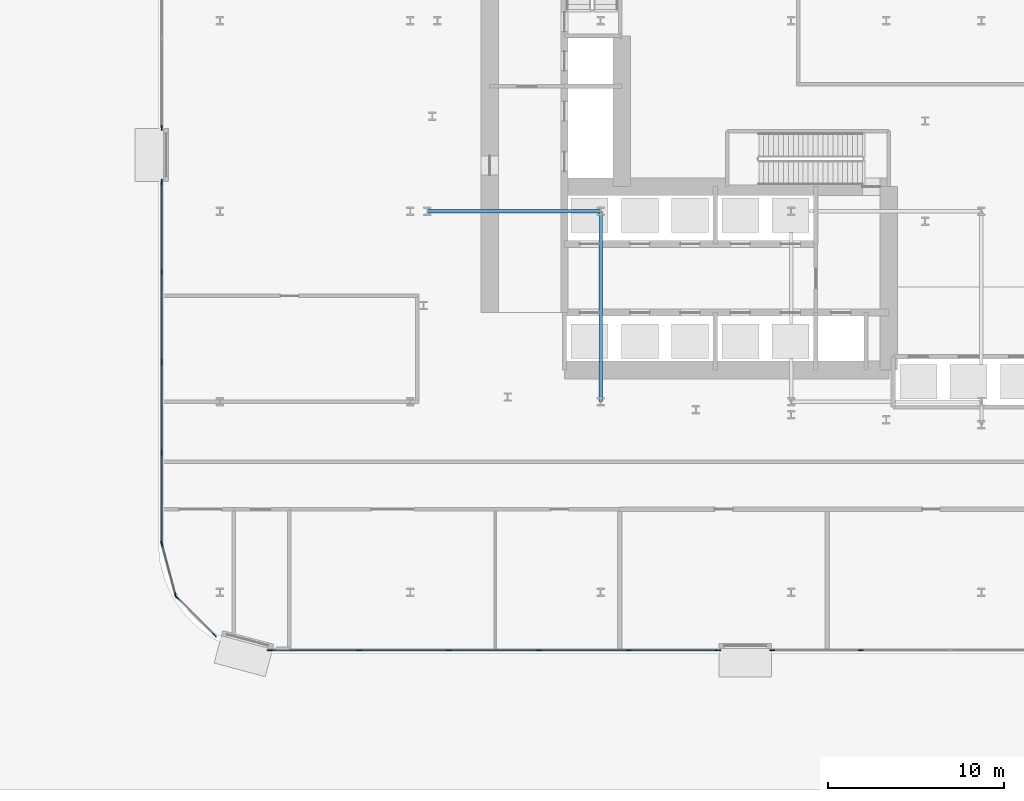
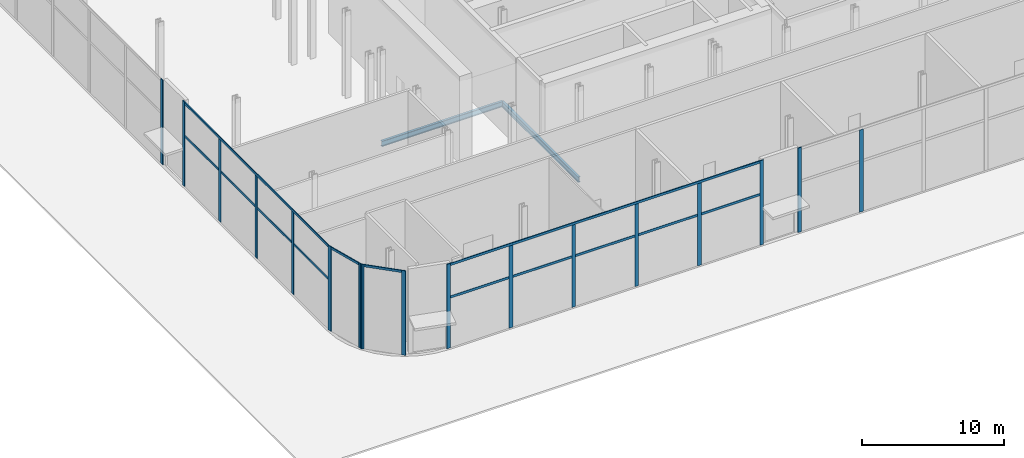
# One storey, part 5 of 46: 23 members, 2 beams, 6 elements without a shape of their own.
"""IFC4 building model written with IfcOpenShell, lengths in metres."""

from ifc_helpers import new_model, si_unit, direction, frame, origin, origin_2d, place, context, subcontext, project, spatial, rectangle, i_section, extrude, material, layer, layer_set, material_profile, profile_set, type_object, element, aggregate, save


model = new_model("IFC4")

# Units and contexts
model_context = context("Model", 3, precision=1e-05, world=origin(), true_north=direction((0.0, 1.0)))
body_context = subcontext(model_context, "Body", "Model", "MODEL_VIEW")
ifc_project = project(units=[si_unit("LENGTHUNIT", "METRE"), si_unit("AREAUNIT", "SQUARE_METRE"), si_unit("VOLUMEUNIT", "CUBIC_METRE"), si_unit("PLANEANGLEUNIT", "RADIAN"), si_unit("MASSUNIT", "GRAM", prefix="KILO")], contexts=[model_context])

# Site, building, storey
site_placement = place(None, origin())
site = spatial("IfcSite", under=ifc_project, at=site_placement, CompositionType="ELEMENT")
building_placement = place(site_placement, origin())
building = spatial("IfcBuilding", under=site, at=building_placement, Name="Kheshtan School and Residences Tower", CompositionType="ELEMENT")
storey_placement = place(building_placement, origin())
storey = spatial("IfcBuildingStorey", under=building, at=storey_placement, Name="L00", CompositionType="ELEMENT", Elevation=0.0)

# Beams
ifc_material_1 = material(Name="Steel ASTM A992 Grade 50", Category="steel")
ifc_material_profile_1 = material_profile(ifc_material_1, i_section(OverallWidth=0.194091796875, OverallDepth=0.468994140625, WebThickness=0.0126953125, FlangeThickness=0.0205078125, FilletRadius=0.01416015625, at=origin_2d()), Name="W460x106")
ifc_profile_set_1 = profile_set([ifc_material_profile_1], Name="Steel ASTM A992 Grade 50")
beam_type = type_object("IfcBeamType", Name="Beam PB2 W460x106 ASTM A992 Grade 50", PredefinedType="BEAM", material=ifc_profile_set_1)
beam_1_placement = place(storey_placement, frame((36.800048828125, 24.0, -0.654541015625), z_axis=(0.0, 1.0, 0.0), x_axis=(-1.0, 0.0, 0.0)))
element("IfcBeam", 1, at=beam_1_placement, inside=storey, type_object=beam_type, Name="Podium floor beam PB2", PredefinedType="BEAM", context=body_context, shape_type="SweptSolid", body=[
    extrude(i_section(OverallWidth=0.194091796875, OverallDepth=0.468994140625, WebThickness=0.0126953125, FlangeThickness=0.0205078125, FilletRadius=0.01416015625, at=origin_2d()), origin(), (0.0, 0.0, 1.0), 10.800048828125),
])
beam_2_placement = place(storey_placement, frame((26.969970703125, 34.800048828125, -0.654541015625), z_axis=(1.0, 0.0, 0.0), x_axis=(0.0, 1.0, 0.0)))
element("IfcBeam", 2, at=beam_2_placement, inside=storey, type_object=beam_type, Name="Podium floor beam PB2", PredefinedType="BEAM", context=body_context, shape_type="SweptSolid", body=[
    extrude(i_section(OverallWidth=0.194091796875, OverallDepth=0.468994140625, WebThickness=0.0126953125, FlangeThickness=0.0205078125, FilletRadius=0.01416015625, at=origin_2d()), origin(), (0.0, 0.0, 1.0), 9.830078125),
])

# Curtain wall, members
ifc_material_2 = material(Name="Clear low-e glass in thermally broken aluminium frame", Category="aluminium")
ifc_layer = layer(ifc_material_2, 0.300048828125)
ifc_layer_set = layer_set([ifc_layer], Name="Curtain wall CW-A")
curtain_wall_type = type_object("IfcCurtainWallType", Name="Curtain wall CW-A", PredefinedType="NOTDEFINED", material=ifc_layer_set)
curtain_wall_1_placement = place(storey_placement, origin())
curtain_wall_1 = element("IfcCurtainWall", 3, at=curtain_wall_1_placement, inside=storey, type_object=curtain_wall_type, Name="Curtain wall CWA12d", PredefinedType="NOTDEFINED")
ifc_material_3 = material(Name="Thermally broken aluminium, dark bronze anodised", Category="aluminium")
ifc_material_profile_2 = material_profile(ifc_material_3, rectangle(XDim=0.074951171875, YDim=0.300048828125, at=origin_2d()), Name="CW-A mullion 75x300")
ifc_profile_set_2 = profile_set([ifc_material_profile_2], Name="Thermally broken aluminium, dark bronze anodised")
member_type_1 = type_object("IfcMemberType", Name="CW-A mullion 75x300", PredefinedType="MULLION", material=ifc_profile_set_2)
member_1_placement = place(storey_placement, frame((51.555908203125, 9.89990234375, 0.0), z_axis=(0.0, 0.0, 1.0), x_axis=(0.0, -1.0, 0.0)))
member_1 = element("IfcMember", 4, at=member_1_placement, type_object=member_type_1, Name="CWA12d mullion 6", PredefinedType="MULLION", context=body_context, shape_type="SweptSolid", body=[
    extrude(rectangle(XDim=0.074951171875, YDim=0.300048828125, at=origin_2d()), origin(), (0.0, 0.0, 1.0), 7.050048828125),
])
member_2_placement = place(storey_placement, frame((46.53759765625, 9.89990234375, 0.0), z_axis=(0.0, 0.0, 1.0), x_axis=(0.0, -1.0, 0.0)))
member_2 = element("IfcMember", 5, at=member_2_placement, type_object=member_type_1, Name="CWA12d mullion 7", PredefinedType="MULLION", context=body_context, shape_type="SweptSolid", body=[
    extrude(rectangle(XDim=0.074951171875, YDim=0.300048828125, at=origin_2d()), origin(), (0.0, 0.0, 1.0), 7.25),
])
aggregate(curtain_wall_1, [member_1, member_2])

curtain_wall_2_placement = place(storey_placement, origin())
curtain_wall_2 = element("IfcCurtainWall", 6, at=curtain_wall_2_placement, inside=storey, type_object=curtain_wall_type, Name="Curtain wall CWA12e", PredefinedType="NOTDEFINED")
member_3_placement = place(storey_placement, frame((43.46240234375, 9.89990234375, 0.0), z_axis=(0.0, 0.0, 1.0), x_axis=(0.0, -1.0, 0.0)))
member_3 = element("IfcMember", 7, at=member_3_placement, type_object=member_type_1, Name="CWA12e mullion 1", PredefinedType="MULLION", context=body_context, shape_type="SweptSolid", body=[
    extrude(rectangle(XDim=0.074951171875, YDim=0.300048828125, at=origin_2d()), origin(), (0.0, 0.0, 1.0), 7.25),
])
member_4_placement = place(storey_placement, frame((38.39990234375, 9.89990234375, 0.0), z_axis=(0.0, 0.0, 1.0), x_axis=(0.0, -1.0, 0.0)))
member_4 = element("IfcMember", 8, at=member_4_placement, type_object=member_type_1, Name="CWA12e mullion 2", PredefinedType="MULLION", context=body_context, shape_type="SweptSolid", body=[
    extrude(rectangle(XDim=0.074951171875, YDim=0.300048828125, at=origin_2d()), origin(), (0.0, 0.0, 1.0), 7.050048828125),
])
member_5_placement = place(storey_placement, frame((33.300048828125, 9.89990234375, 0.0), z_axis=(0.0, 0.0, 1.0), x_axis=(0.0, -1.0, 0.0)))
member_5 = element("IfcMember", 9, at=member_5_placement, type_object=member_type_1, Name="CWA12e mullion 3", PredefinedType="MULLION", context=body_context, shape_type="SweptSolid", body=[
    extrude(rectangle(XDim=0.074951171875, YDim=0.300048828125, at=origin_2d()), origin(), (0.0, 0.0, 1.0), 7.050048828125),
])
member_6_placement = place(storey_placement, frame((28.199951171875, 9.89990234375, 0.0), z_axis=(0.0, 0.0, 1.0), x_axis=(0.0, -1.0, 0.0)))
member_6 = element("IfcMember", 10, at=member_6_placement, type_object=member_type_1, Name="CWA12e mullion 4", PredefinedType="MULLION", context=body_context, shape_type="SweptSolid", body=[
    extrude(rectangle(XDim=0.074951171875, YDim=0.300048828125, at=origin_2d()), origin(), (0.0, 0.0, 1.0), 7.050048828125),
])
member_7_placement = place(storey_placement, frame((23.10009765625, 9.89990234375, 0.0), z_axis=(0.0, 0.0, 1.0), x_axis=(0.0, -1.0, 0.0)))
member_7 = element("IfcMember", 11, at=member_7_placement, type_object=member_type_1, Name="CWA12e mullion 5", PredefinedType="MULLION", context=body_context, shape_type="SweptSolid", body=[
    extrude(rectangle(XDim=0.074951171875, YDim=0.300048828125, at=origin_2d()), origin(), (0.0, 0.0, 1.0), 7.050048828125),
])
member_8_placement = place(storey_placement, frame((18.03759765625, 9.89990234375, 0.0), z_axis=(0.0, 0.0, 1.0), x_axis=(0.0, -1.0, 0.0)))
member_8 = element("IfcMember", 12, at=member_8_placement, type_object=member_type_1, Name="CWA12e mullion 6", PredefinedType="MULLION", context=body_context, shape_type="SweptSolid", body=[
    extrude(rectangle(XDim=0.074951171875, YDim=0.300048828125, at=origin_2d()), origin(), (0.0, 0.0, 1.0), 7.25),
])

curtain_wall_3_placement = place(storey_placement, origin())
curtain_wall_3 = element("IfcCurtainWall", 13, at=curtain_wall_3_placement, inside=storey, type_object=curtain_wall_type, Name="Curtain wall CWA14", PredefinedType="NOTDEFINED")
member_9_placement = place(storey_placement, frame((14.90283203125, 10.759765625, 0.0), z_axis=(0.0, 0.0, 1.0), x_axis=(-0.707106781187, -0.707106781187, 0.0)))
member_9 = element("IfcMember", 14, at=member_9_placement, type_object=member_type_1, Name="CWA14 mullion 1", PredefinedType="MULLION", context=body_context, shape_type="SweptSolid", body=[
    extrude(rectangle(XDim=0.074951171875, YDim=0.300048828125, at=origin_2d()), origin(), (0.0, 0.0, 1.0), 7.25),
])
member_10_placement = place(storey_placement, frame((12.759765625, 12.90283203125, 0.0), z_axis=(0.0, 0.0, 1.0), x_axis=(-0.707106781187, -0.707106781187, 0.0)))
member_10 = element("IfcMember", 15, at=member_10_placement, type_object=member_type_1, Name="CWA14 mullion 2", PredefinedType="MULLION", context=body_context, shape_type="SweptSolid", body=[
    extrude(rectangle(XDim=0.074951171875, YDim=0.300048828125, at=origin_2d()), origin(), (0.0, 0.0, 1.0), 7.25),
])

curtain_wall_4_placement = place(storey_placement, origin())
curtain_wall_4 = element("IfcCurtainWall", 16, at=curtain_wall_4_placement, inside=storey, type_object=curtain_wall_type, Name="Curtain wall CWA15", PredefinedType="NOTDEFINED")
member_11_placement = place(storey_placement, frame((12.69775390625, 13.01025390625, 0.0), z_axis=(0.0, 0.0, 1.0), x_axis=(-0.965913556273, -0.258864833085, 0.0)))
member_11 = element("IfcMember", 17, at=member_11_placement, type_object=member_type_1, Name="CWA15 mullion 1", PredefinedType="MULLION", context=body_context, shape_type="SweptSolid", body=[
    extrude(rectangle(XDim=0.074951171875, YDim=0.300048828125, at=origin_2d()), origin(), (0.0, 0.0, 1.0), 7.25),
])
member_12_placement = place(storey_placement, frame((11.9130859375, 15.93798828125, 0.0), z_axis=(0.0, 0.0, 1.0), x_axis=(-0.965913556273, -0.258864833085, 0.0)))
member_12 = element("IfcMember", 18, at=member_12_placement, type_object=member_type_1, Name="CWA15 mullion 2", PredefinedType="MULLION", context=body_context, shape_type="SweptSolid", body=[
    extrude(rectangle(XDim=0.074951171875, YDim=0.300048828125, at=origin_2d()), origin(), (0.0, 0.0, 1.0), 7.25),
])

curtain_wall_5_placement = place(storey_placement, origin())
curtain_wall_5 = element("IfcCurtainWall", 19, at=curtain_wall_5_placement, inside=storey, type_object=curtain_wall_type, Name="Curtain wall CWA16", PredefinedType="NOTDEFINED")
member_13_placement = place(storey_placement, frame((11.89990234375, 21.125, 0.0), z_axis=(0.0, 0.0, 1.0), x_axis=(-1.0, 0.0, 0.0)))
member_13 = element("IfcMember", 20, at=member_13_placement, type_object=member_type_1, Name="CWA16 mullion 2", PredefinedType="MULLION", context=body_context, shape_type="SweptSolid", body=[
    extrude(rectangle(XDim=0.074951171875, YDim=0.300048828125, at=origin_2d()), origin(), (0.0, 0.0, 1.0), 7.050048828125),
])
member_14_placement = place(storey_placement, frame((11.89990234375, 26.25, 0.0), z_axis=(0.0, 0.0, 1.0), x_axis=(-1.0, 0.0, 0.0)))
member_14 = element("IfcMember", 21, at=member_14_placement, type_object=member_type_1, Name="CWA16 mullion 3", PredefinedType="MULLION", context=body_context, shape_type="SweptSolid", body=[
    extrude(rectangle(XDim=0.074951171875, YDim=0.300048828125, at=origin_2d()), origin(), (0.0, 0.0, 1.0), 7.050048828125),
])
member_15_placement = place(storey_placement, frame((11.89990234375, 31.375, 0.0), z_axis=(0.0, 0.0, 1.0), x_axis=(-1.0, 0.0, 0.0)))
member_15 = element("IfcMember", 22, at=member_15_placement, type_object=member_type_1, Name="CWA16 mullion 4", PredefinedType="MULLION", context=body_context, shape_type="SweptSolid", body=[
    extrude(rectangle(XDim=0.074951171875, YDim=0.300048828125, at=origin_2d()), origin(), (0.0, 0.0, 1.0), 7.050048828125),
])
member_16_placement = place(storey_placement, frame((11.89990234375, 36.46240234375, 0.0), z_axis=(0.0, 0.0, 1.0), x_axis=(-1.0, 0.0, 0.0)))
member_16 = element("IfcMember", 23, at=member_16_placement, type_object=member_type_1, Name="CWA16 mullion 5", PredefinedType="MULLION", context=body_context, shape_type="SweptSolid", body=[
    extrude(rectangle(XDim=0.074951171875, YDim=0.300048828125, at=origin_2d()), origin(), (0.0, 0.0, 1.0), 7.25),
])

# Curtain wall, member
curtain_wall_6_placement = place(storey_placement, origin())
curtain_wall_6 = element("IfcCurtainWall", 24, at=curtain_wall_6_placement, inside=storey, type_object=curtain_wall_type, Name="Curtain wall CWA16a", PredefinedType="NOTDEFINED")
member_17_placement = place(storey_placement, frame((11.89990234375, 39.53759765625, 0.0), z_axis=(0.0, 0.0, 1.0), x_axis=(-1.0, 0.0, 0.0)))
member_17 = element("IfcMember", 25, at=member_17_placement, type_object=member_type_1, Name="CWA16a mullion 1", PredefinedType="MULLION", context=body_context, shape_type="SweptSolid", body=[
    extrude(rectangle(XDim=0.074951171875, YDim=0.300048828125, at=origin_2d()), origin(), (0.0, 0.0, 1.0), 7.25),
])
aggregate(curtain_wall_6, [member_17])

# Member
ifc_material_profile_3 = material_profile(ifc_material_3, rectangle(XDim=0.074951171875, YDim=0.199951171875, at=origin_2d()), Name="CW-A transom 75x200")
ifc_profile_set_3 = profile_set([ifc_material_profile_3], Name="Thermally broken aluminium, dark bronze anodised")
member_type_2 = type_object("IfcMemberType", Name="CW-A transom 75x200", PredefinedType="USERDEFINED", material=ifc_profile_set_3)
member_18_placement = place(storey_placement, frame((43.425048828125, 9.89990234375, 4.35009765625), z_axis=(-1.0, 0.0, 0.0), x_axis=(0.0, -1.0, 0.0)))
member_18 = element("IfcMember", 26, at=member_18_placement, type_object=member_type_2, Name="CWA12e transom 1", ObjectType="TRANSOM", PredefinedType="USERDEFINED", context=body_context, shape_type="SweptSolid", body=[
    extrude(rectangle(XDim=0.074951171875, YDim=0.199951171875, at=origin_2d()), origin(), (0.0, 0.0, 1.0), 25.35009765625),
])

member_19_placement = place(storey_placement, frame((43.425048828125, 9.89990234375, 7.14990234375), z_axis=(-1.0, 0.0, 0.0), x_axis=(0.0, -1.0, 0.0)))
member_19 = element("IfcMember", 27, at=member_19_placement, type_object=member_type_2, Name="CWA12e transom 2", ObjectType="TRANSOM", PredefinedType="USERDEFINED", context=body_context, shape_type="SweptSolid", body=[
    extrude(rectangle(XDim=0.074951171875, YDim=0.199951171875, at=origin_2d()), origin(), (0.0, 0.0, 1.0), 25.35009765625),
])

aggregate(curtain_wall_2, [member_3, member_4, member_5, member_6, member_7, member_8, member_18, member_19])

member_20_placement = place(storey_placement, frame((14.876220703125, 10.786376953125, 7.14990234375), z_axis=(-0.707106781187, 0.707106781187, 0.0), x_axis=(-0.707106781187, -0.707106781187, 0.0)))
member_20 = element("IfcMember", 28, at=member_20_placement, type_object=member_type_2, Name="CWA14 transom 1", ObjectType="TRANSOM", PredefinedType="USERDEFINED", context=body_context, shape_type="SweptSolid", body=[
    extrude(rectangle(XDim=0.074951171875, YDim=0.199951171875, at=origin_2d()), origin(), (0.0, 0.0, 1.0), 2.95556640625),
])

aggregate(curtain_wall_3, [member_9, member_10, member_20])

member_21_placement = place(storey_placement, frame((12.68798828125, 13.046630859375, 7.14990234375), z_axis=(-0.258865449593, 0.965913391048, 0.0), x_axis=(-0.965913391048, -0.258865449593, 0.0)))
member_21 = element("IfcMember", 29, at=member_21_placement, type_object=member_type_2, Name="CWA15 transom 1", ObjectType="TRANSOM", PredefinedType="USERDEFINED", context=body_context, shape_type="SweptSolid", body=[
    extrude(rectangle(XDim=0.074951171875, YDim=0.199951171875, at=origin_2d()), origin(), (0.0, 0.0, 1.0), 2.955810546875),
])

aggregate(curtain_wall_4, [member_11, member_12, member_21])

member_22_placement = place(storey_placement, frame((11.89990234375, 15.975341796875, 4.35009765625), z_axis=(0.0, 1.0, 0.0), x_axis=(-1.0, 0.0, 0.0)))
member_22 = element("IfcMember", 30, at=member_22_placement, type_object=member_type_2, Name="CWA16 transom 1", ObjectType="TRANSOM", PredefinedType="USERDEFINED", context=body_context, shape_type="SweptSolid", body=[
    extrude(rectangle(XDim=0.074951171875, YDim=0.199951171875, at=origin_2d()), origin(), (0.0, 0.0, 1.0), 20.44970703125),
])

member_23_placement = place(storey_placement, frame((11.89990234375, 15.975341796875, 7.14990234375), z_axis=(0.0, 1.0, 0.0), x_axis=(-1.0, 0.0, 0.0)))
member_23 = element("IfcMember", 31, at=member_23_placement, type_object=member_type_2, Name="CWA16 transom 2", ObjectType="TRANSOM", PredefinedType="USERDEFINED", context=body_context, shape_type="SweptSolid", body=[
    extrude(rectangle(XDim=0.074951171875, YDim=0.199951171875, at=origin_2d()), origin(), (0.0, 0.0, 1.0), 20.44970703125),
])

aggregate(curtain_wall_5, [member_13, member_14, member_15, member_16, member_22, member_23])

save(model, "model.ifc")
